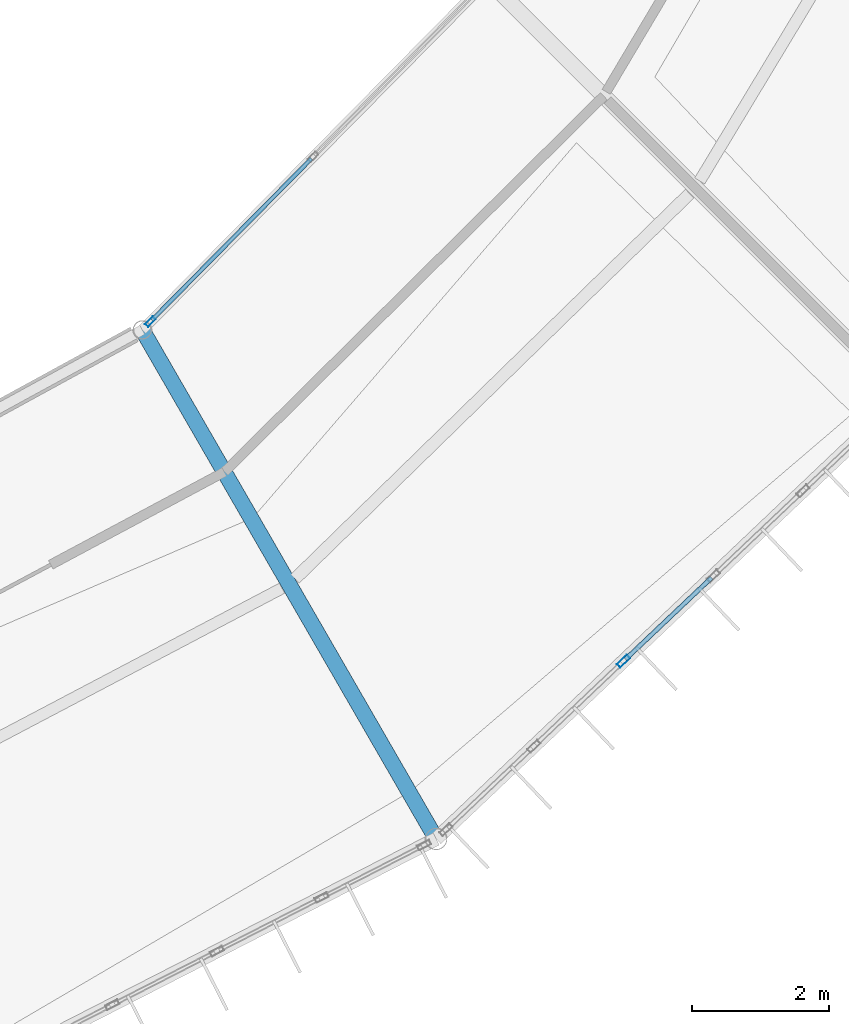
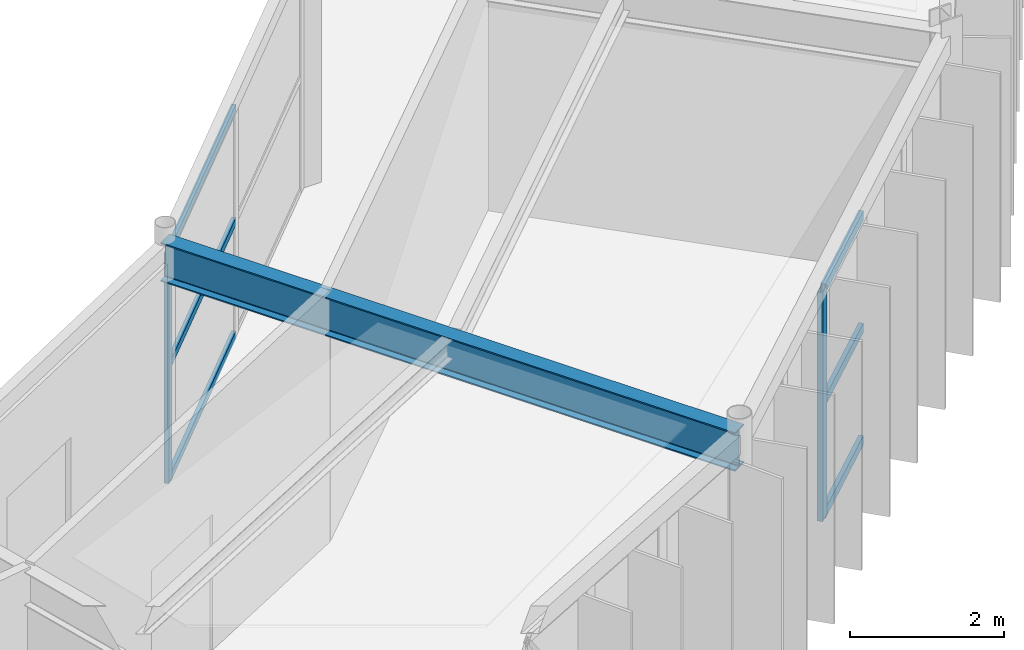
# One storey, part 51 of 148: 8 members, 1 beam, 2 elements without a shape of their own.
"""IFC4 building model written with IfcOpenShell, lengths in metres."""

from ifc_helpers import new_model, si_unit, direction, frame, origin, origin_2d, place, context, subcontext, project, spatial, hollow_rectangle, i_section, extrude, material, material_profile, profile_set, type_object, element, aggregate, save


model = new_model("IFC4")

# Units and contexts
model_context = context("Model", 3, precision=1e-05, world=origin(), true_north=direction((0.0, 1.0)))
body_context = subcontext(model_context, "Body", "Model", "MODEL_VIEW")
ifc_project = project(units=[si_unit("LENGTHUNIT", "METRE"), si_unit("AREAUNIT", "SQUARE_METRE"), si_unit("VOLUMEUNIT", "CUBIC_METRE"), si_unit("PLANEANGLEUNIT", "RADIAN"), si_unit("MASSUNIT", "GRAM", prefix="KILO")], contexts=[model_context])

# Site, building, storey
site_placement = place(None, origin())
site = spatial("IfcSite", under=ifc_project, at=site_placement, CompositionType="ELEMENT")
building_placement = place(site_placement, origin())
building = spatial("IfcBuilding", under=site, at=building_placement, Name="Karori Crest Natural Sciences Institute", CompositionType="ELEMENT")
storey_placement = place(building_placement, frame((0.0, 0.0, 4.89990234375)))
storey = spatial("IfcBuildingStorey", under=building, at=storey_placement, Name="L01", CompositionType="ELEMENT", Elevation=4.89990234375)

# Beam
ifc_material_1 = material(Name="Structural steel AS/NZS 3679.1 Grade 350", Category="steel")
ifc_material_profile_1 = material_profile(ifc_material_1, i_section(OverallWidth=0.22900390625, OverallDepth=0.612060546875, WebThickness=0.011962890625, FlangeThickness=0.01953125, FilletRadius=0.013916015625, at=origin_2d()), Name="610UB125")
ifc_profile_set_1 = profile_set([ifc_material_profile_1], Name="Structural steel AS/NZS 3679.1 Grade 350")
beam_type = type_object("IfcBeamType", Name="BT-04", PredefinedType="BEAM", material=ifc_profile_set_1)
beam_placement = place(storey_placement, frame((78.60009765625, 22.013916015625, 3.634033203125), z_axis=(0.499986217557, -0.866033360935, 0.0), x_axis=(0.866033360935, 0.499986217557, 0.0)))
element("IfcBeam", 1, at=beam_placement, inside=storey, type_object=beam_type, Name="Beam B-0258", PredefinedType="BEAM", context=body_context, shape_type="SweptSolid", body=[
    extrude(i_section(OverallWidth=0.22900390625, OverallDepth=0.612060546875, WebThickness=0.011962890625, FlangeThickness=0.01953125, FilletRadius=0.013916015625, at=origin_2d()), origin(), (0.0, 0.0, 1.0), 8.599853515625),
])

# Curtain wall, member
ifc_material_2 = material(Name="Anodised architectural aluminium 6063-T6", Category="aluminium")
curtain_wall_type_1 = type_object("IfcCurtainWallType", Name="CWT-11", PredefinedType="NOTDEFINED", material=ifc_material_2)
curtain_wall_1_placement = place(storey_placement, origin())
curtain_wall_1 = element("IfcCurtainWall", 2, at=curtain_wall_1_placement, inside=storey, type_object=curtain_wall_type_1, Name="Curtain wall CW-0060", PredefinedType="NOTDEFINED")
ifc_material_profile_2 = material_profile(ifc_material_2, hollow_rectangle(XDim=0.06494140625, YDim=0.159912109375, WallThickness=0.00390625, at=origin_2d()), Name="CWM160x65x4")
ifc_profile_set_2 = profile_set([ifc_material_profile_2], Name="Anodised architectural aluminium 6063-T6")
member_type_1 = type_object("IfcMemberType", Name="CWM-01", PredefinedType="MULLION", material=ifc_profile_set_2)
member_1_placement = place(storey_placement, frame((78.71728515625, 22.1328125, 0.0), z_axis=(0.0, 0.0, 1.0), x_axis=(-0.71152941525, 0.70265631089, 0.0)))
member_1 = element("IfcMember", 3, at=member_1_placement, type_object=member_type_1, Name="CW-0060 mullion 1", PredefinedType="MULLION", context=body_context, shape_type="SweptSolid", body=[
    extrude(hollow_rectangle(XDim=0.06494140625, YDim=0.159912109375, WallThickness=0.00390625, at=origin_2d()), origin(), (0.0, 0.0, 1.0), 3.650146484375),
])

curtain_wall_type_2 = type_object("IfcCurtainWallType", Name="CWT-01", PredefinedType="NOTDEFINED", material=ifc_material_2)
curtain_wall_2_placement = place(storey_placement, origin())
curtain_wall_2 = element("IfcCurtainWall", 4, at=curtain_wall_2_placement, inside=storey, type_object=curtain_wall_type_2, Name="Curtain wall CW-0059", PredefinedType="NOTDEFINED")
ifc_material_profile_3 = material_profile(ifc_material_2, hollow_rectangle(XDim=0.074951171875, YDim=0.199951171875, WallThickness=0.0048828125, at=origin_2d()), Name="CWM200x75x5")
ifc_profile_set_3 = profile_set([ifc_material_profile_3], Name="Anodised architectural aluminium 6063-T6")
member_type_2 = type_object("IfcMemberType", Name="CWM-02", PredefinedType="MULLION", material=ifc_profile_set_3)
member_2_placement = place(storey_placement, frame((85.641845703125, 17.167236328125, 0.0), z_axis=(0.0, 0.0, 1.0), x_axis=(0.688250886925, -0.725472753897, 0.0)))
member_2 = element("IfcMember", 5, at=member_2_placement, type_object=member_type_2, Name="CW-0059 mullion 4", PredefinedType="MULLION", context=body_context, shape_type="SweptSolid", body=[
    extrude(hollow_rectangle(XDim=0.074951171875, YDim=0.199951171875, WallThickness=0.0048828125, at=origin_2d()), origin(), (0.0, 0.0, 1.0), 3.625),
])

# Member
ifc_material_profile_4 = material_profile(ifc_material_2, hollow_rectangle(XDim=0.06005859375, YDim=0.1201171875, WallThickness=0.00390625, at=origin_2d()), Name="CWT120x60x4")
ifc_profile_set_4 = profile_set([ifc_material_profile_4], Name="Anodised architectural aluminium 6063-T6")
member_type_3 = type_object("IfcMemberType", Name="CWT-TR1", PredefinedType="USERDEFINED", material=ifc_profile_set_4)
member_3_placement = place(storey_placement, frame((78.740234375, 22.156005859375, 0.030029296875), z_axis=(0.702647532142, 0.711538084416, 0.0), x_axis=(-0.711538084416, 0.702647532142, 0.0)))
member_3 = element("IfcMember", 6, at=member_3_placement, type_object=member_type_3, Name="CW-0060 transom 1.1", ObjectType="TRANSOM", PredefinedType="USERDEFINED", context=body_context, shape_type="SweptSolid", body=[
    extrude(hollow_rectangle(XDim=0.06005859375, YDim=0.1201171875, WallThickness=0.00390625, at=origin_2d()), origin(), (0.0, 0.0, 1.0), 3.32275390625),
])

member_4_placement = place(storey_placement, frame((78.740234375, 22.156005859375, 1.8251953125), z_axis=(0.702647532142, 0.711538084416, 0.0), x_axis=(-0.711538084416, 0.702647532142, 0.0)))
member_4 = element("IfcMember", 7, at=member_4_placement, type_object=member_type_3, Name="CW-0060 transom 1.2", ObjectType="TRANSOM", PredefinedType="USERDEFINED", context=body_context, shape_type="SweptSolid", body=[
    extrude(hollow_rectangle(XDim=0.06005859375, YDim=0.1201171875, WallThickness=0.00390625, at=origin_2d()), origin(), (0.0, 0.0, 1.0), 3.32275390625),
])

member_5_placement = place(storey_placement, frame((78.740234375, 22.156005859375, 3.6201171875), z_axis=(0.702647532142, 0.711538084416, 0.0), x_axis=(-0.711538084416, 0.702647532142, 0.0)))
member_5 = element("IfcMember", 8, at=member_5_placement, type_object=member_type_3, Name="CW-0060 transom 1.3", ObjectType="TRANSOM", PredefinedType="USERDEFINED", context=body_context, shape_type="SweptSolid", body=[
    extrude(hollow_rectangle(XDim=0.06005859375, YDim=0.1201171875, WallThickness=0.00390625, at=origin_2d()), origin(), (0.0, 0.0, 1.0), 3.32275390625),
])

aggregate(curtain_wall_1, [member_1, member_3, member_4, member_5])

ifc_material_profile_5 = material_profile(ifc_material_2, hollow_rectangle(XDim=0.06494140625, YDim=0.14990234375, WallThickness=0.00390625, at=origin_2d()), Name="CWT150x65x4")
ifc_profile_set_5 = profile_set([ifc_material_profile_5], Name="Anodised architectural aluminium 6063-T6")
member_type_4 = type_object("IfcMemberType", Name="CWT-TR2", PredefinedType="USERDEFINED", material=ifc_profile_set_5)
member_6_placement = place(storey_placement, frame((86.927490234375, 18.386962890625, 0.03271484375), z_axis=(-0.725508743125, -0.688212949347, 0.0), x_axis=(0.688212949347, -0.725508743125, 0.0)))
member_6 = element("IfcMember", 9, at=member_6_placement, type_object=member_type_4, Name="CW-0059 transom 3.1", ObjectType="TRANSOM", PredefinedType="USERDEFINED", context=body_context, shape_type="SweptSolid", body=[
    extrude(hollow_rectangle(XDim=0.06494140625, YDim=0.14990234375, WallThickness=0.00390625, at=origin_2d()), origin(), (0.0, 0.0, 1.0), 1.734619140625),
])

member_7_placement = place(storey_placement, frame((86.927490234375, 18.386962890625, 1.8125), z_axis=(-0.725508743125, -0.688212949347, 0.0), x_axis=(0.688212949347, -0.725508743125, 0.0)))
member_7 = element("IfcMember", 10, at=member_7_placement, type_object=member_type_4, Name="CW-0059 transom 3.2", ObjectType="TRANSOM", PredefinedType="USERDEFINED", context=body_context, shape_type="SweptSolid", body=[
    extrude(hollow_rectangle(XDim=0.06494140625, YDim=0.14990234375, WallThickness=0.00390625, at=origin_2d()), origin(), (0.0, 0.0, 1.0), 1.734619140625),
])

member_8_placement = place(storey_placement, frame((86.927490234375, 18.386962890625, 3.592529296875), z_axis=(-0.725508743125, -0.688212949347, 0.0), x_axis=(0.688212949347, -0.725508743125, 0.0)))
member_8 = element("IfcMember", 11, at=member_8_placement, type_object=member_type_4, Name="CW-0059 transom 3.3", ObjectType="TRANSOM", PredefinedType="USERDEFINED", context=body_context, shape_type="SweptSolid", body=[
    extrude(hollow_rectangle(XDim=0.06494140625, YDim=0.14990234375, WallThickness=0.00390625, at=origin_2d()), origin(), (0.0, 0.0, 1.0), 1.734619140625),
])

aggregate(curtain_wall_2, [member_2, member_6, member_7, member_8])

save(model, "model.ifc")
